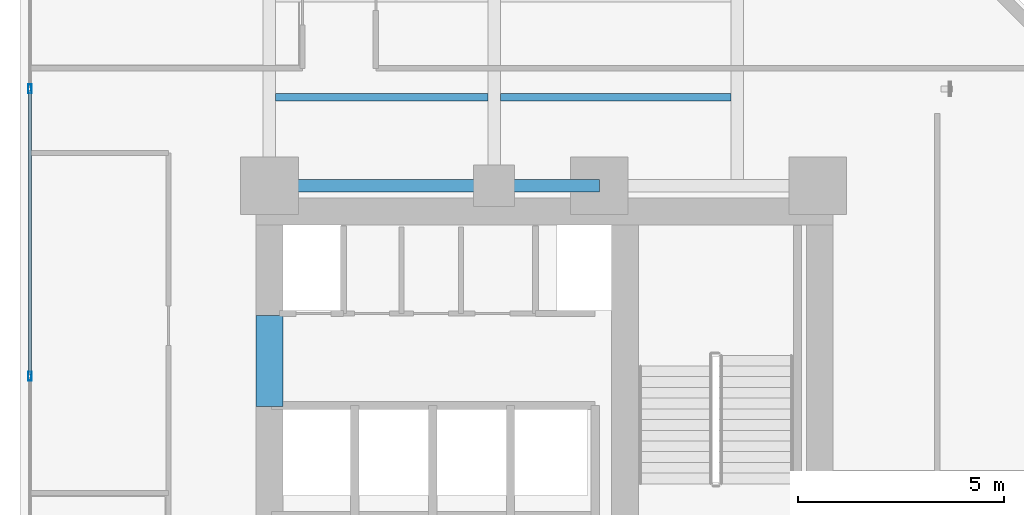
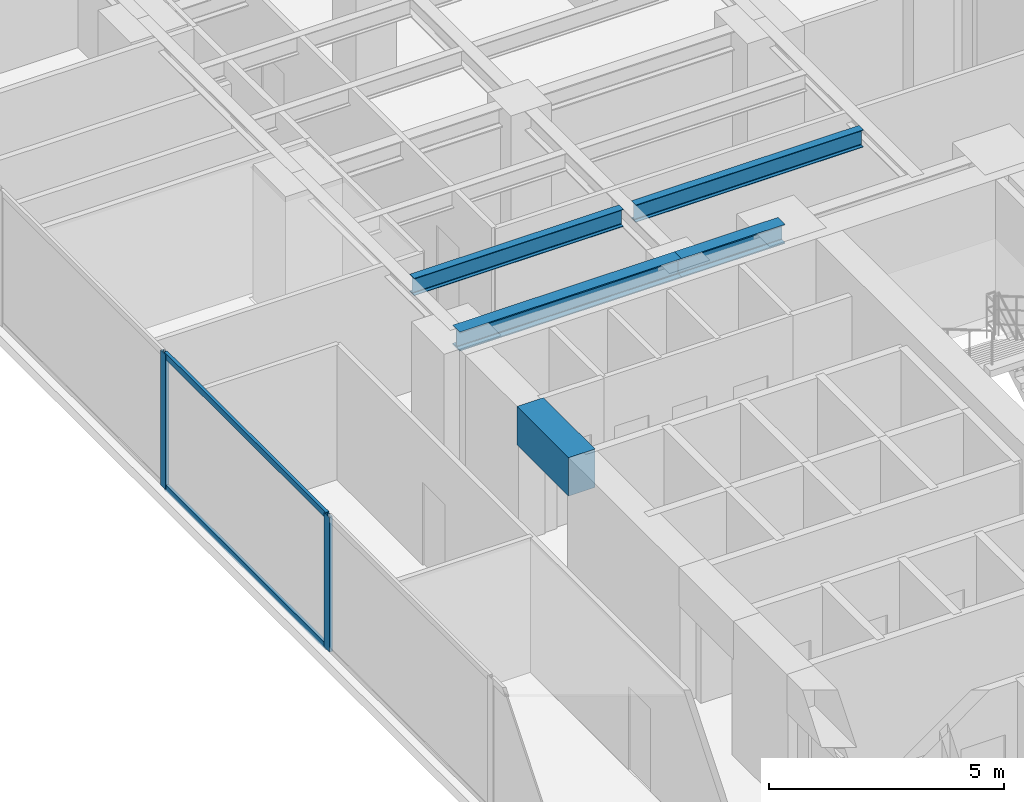
# One storey, part 6 of 25: 5 beams, 4 members, 1 element without a shape of its own.
"""IFC4 building model written with IfcOpenShell, lengths in metres."""

from ifc_helpers import new_model, si_unit, direction, frame, origin, origin_with_axes, origin_2d, place, context, subcontext, project, spatial, rectangle, hollow_rectangle, i_section, extrude, source, transform, mapped, material, layer, layer_set, material_profile, profile_set, type_object, element, aggregate, save


model = new_model("IFC4")

# Units and contexts
model_context = context("Model", 3, precision=1e-05, world=origin(), true_north=direction((0.0, 1.0)))
body_context = subcontext(model_context, "Body", "Model", "MODEL_VIEW")
ifc_project = project(units=[si_unit("LENGTHUNIT", "METRE"), si_unit("AREAUNIT", "SQUARE_METRE"), si_unit("VOLUMEUNIT", "CUBIC_METRE"), si_unit("PLANEANGLEUNIT", "RADIAN"), si_unit("MASSUNIT", "GRAM", prefix="KILO")], contexts=[model_context])

# Site, building, storey
site_placement = place(None, origin())
site = spatial("IfcSite", under=ifc_project, at=site_placement, CompositionType="ELEMENT")
building_placement = place(site_placement, origin())
building = spatial("IfcBuilding", under=site, at=building_placement, Name="Kolvaren Waterfront Exchange", CompositionType="ELEMENT")
storey_placement = place(building_placement, frame((0.0, 0.0, 106.89990234375)))
storey = spatial("IfcBuildingStorey", under=building, at=storey_placement, Name="L27", CompositionType="ELEMENT", Elevation=106.89990234375)

# Beams
ifc_material_1 = material(Name="Steel S355", Category="steel")
ifc_material_profile_1 = material_profile(ifc_material_1, i_section(OverallWidth=0.300048828125, OverallDepth=0.5, WebThickness=0.014404296875, FlangeThickness=0.028076171875, FilletRadius=0.027099609375, at=origin_2d()), Name="HEB500")
ifc_profile_set_1 = profile_set([ifc_material_profile_1], Name="Steel S355")
beam_type_1 = type_object("IfcBeamType", Name="STR-BM-HEB500", PredefinedType="BEAM", material=ifc_profile_set_1)
beam_1_placement = place(storey_placement, frame((7.449951171875, 24.449951171875, 3.25), z_axis=(1.0, 0.0, 0.0), x_axis=(0.0, 1.0, 0.0)))
element("IfcBeam", 1, at=beam_1_placement, inside=storey, type_object=beam_type_1, Name="L27 north-arm girder 1A", PredefinedType="BEAM", context=body_context, shape_type="SweptSolid", body=[
    extrude(i_section(OverallWidth=0.300048828125, OverallDepth=0.5, WebThickness=0.014404296875, FlangeThickness=0.028076171875, FilletRadius=0.027099609375, at=origin_2d()), origin(), (0.0, 0.0, 1.0), 5.449951171875),
])
beam_2_placement = place(storey_placement, frame((12.89990234375, 24.449951171875, 3.25), z_axis=(1.0, 0.0, 0.0), x_axis=(0.0, 1.0, 0.0)))
element("IfcBeam", 2, at=beam_2_placement, inside=storey, type_object=beam_type_1, Name="L27 north-arm girder 1B", PredefinedType="BEAM", context=body_context, shape_type="SweptSolid", body=[
    extrude(i_section(OverallWidth=0.300048828125, OverallDepth=0.5, WebThickness=0.014404296875, FlangeThickness=0.028076171875, FilletRadius=0.027099609375, at=origin_2d()), origin(), (0.0, 0.0, 1.0), 2.550048828125),
])
ifc_material_profile_2 = material_profile(ifc_material_1, i_section(OverallWidth=0.18994140625, OverallDepth=0.449951171875, WebThickness=0.009521484375, FlangeThickness=0.0146484375, FilletRadius=0.02099609375, at=origin_2d()), Name="IPE450")
ifc_profile_set_2 = profile_set([ifc_material_profile_2], Name="Steel S355")
beam_type_2 = type_object("IfcBeamType", Name="STR-BM-IPE450", PredefinedType="JOIST", material=ifc_profile_set_2)
beam_3_placement = place(storey_placement, frame((7.60205078125, 26.60009765625, 3.275146484375), z_axis=(1.0, 0.0, 0.0), x_axis=(0.0, 1.0, 0.0)))
element("IfcBeam", 3, at=beam_3_placement, inside=storey, type_object=beam_type_2, Name="L27 north-arm composite joist 1A", PredefinedType="JOIST", context=body_context, shape_type="SweptSolid", body=[
    extrude(i_section(OverallWidth=0.18994140625, OverallDepth=0.449951171875, WebThickness=0.009521484375, FlangeThickness=0.0146484375, FilletRadius=0.02099609375, at=origin_2d()), origin(), (0.0, 0.0, 1.0), 5.14599609375),
])
beam_4_placement = place(storey_placement, frame((13.052001953125, 26.60009765625, 3.275146484375), z_axis=(1.0, 0.0, 0.0), x_axis=(0.0, 1.0, 0.0)))
element("IfcBeam", 4, at=beam_4_placement, inside=storey, type_object=beam_type_2, Name="L27 north-arm composite joist 1B", PredefinedType="JOIST", context=body_context, shape_type="SweptSolid", body=[
    extrude(i_section(OverallWidth=0.18994140625, OverallDepth=0.449951171875, WebThickness=0.009521484375, FlangeThickness=0.0146484375, FilletRadius=0.02099609375, at=origin_2d()), origin(), (0.0, 0.0, 1.0), 5.595947265625),
])
ifc_material_2 = material(Name="Concrete C60/75", Category="concrete")
ifc_material_profile_3 = material_profile(ifc_material_2, rectangle(XDim=0.64990234375, YDim=1.0, at=origin_2d()), Name="RC-CB-1000x650")
ifc_profile_set_3 = profile_set([ifc_material_profile_3], Name="Concrete C60/75")
beam_type_3 = type_object("IfcBeamType", Name="STR-CB-1000", PredefinedType="SPANDREL", material=ifc_profile_set_3)
beam_5_placement = place(storey_placement, frame((7.449951171875, 19.10009765625, 3.0), z_axis=(0.0, 1.0, 0.0), x_axis=(-1.0, 0.0, 0.0)))
element("IfcBeam", 5, at=beam_5_placement, inside=storey, type_object=beam_type_3, Name="L27 core coupling beam 5", PredefinedType="SPANDREL", context=body_context, shape_type="SweptSolid", body=[
    extrude(rectangle(XDim=0.64990234375, YDim=1.0, at=origin_2d()), origin(), (0.0, 0.0, 1.0), 2.199951171875),
])

# Curtain wall, members
ifc_material_3 = material(Name="Anodised aluminium 6063-T6", Category="aluminium")
ifc_layer = layer(ifc_material_3, 0.219970703125, Name="Anodised aluminium 6063-T6")
ifc_layer_set = layer_set([ifc_layer], Name="Anodised aluminium 6063-T6")
curtain_wall_type = type_object("IfcCurtainWallType", Name="ARC-CW-SYS2", PredefinedType="USERDEFINED", material=ifc_layer_set)
curtain_wall_placement = place(storey_placement, origin())
curtain_wall = element("IfcCurtainWall", 6, at=curtain_wall_placement, inside=storey, type_object=curtain_wall_type, Name="L27 stick curtain wall CW2 (CW-L27-W)", ObjectType="STICK CURTAIN WALL", PredefinedType="USERDEFINED")
ifc_material_profile_4 = material_profile(ifc_material_3, hollow_rectangle(XDim=0.074951171875, YDim=0.159912109375, WallThickness=0.00439453125, at=origin_2d()), Name="ALU-TRN-160x75x4.5")
ifc_profile_set_4 = profile_set([ifc_material_profile_4], Name="Anodised aluminium 6063-T6")
member_type_1 = type_object("IfcMemberType", Name="ARC-CWT-160", PredefinedType="USERDEFINED", material=ifc_profile_set_4)
shared_shape_1 = source(origin_with_axes(), body_context, "Body", "SweptSolid", [
    extrude(hollow_rectangle(XDim=0.074951171875, YDim=0.159912109375, WallThickness=0.00439453125, at=origin_2d()), origin(), (0.0, 0.0, 1.0), 6.88671875),
])
member_1_placement = place(storey_placement, frame((1.639892578125, 19.873291015625, 0.03759765625), z_axis=(0.0, 1.0, 0.0), x_axis=(-1.0, 0.0, 0.0)))
member_1 = element("IfcMember", 7, at=member_1_placement, type_object=member_type_1, Name="CW2 transom 3.1", ObjectType="TRANSOM", PredefinedType="USERDEFINED", context=body_context, shape_type="MappedRepresentation", body=[
    mapped(shared_shape_1, transform((0.0, 0.0, 0.0), x_axis=(1.0, 0.0, 0.0), y_axis=(0.0, 1.0, 0.0), z_axis=(0.0, 0.0, 1.0), scale=1.0)),
])
member_2_placement = place(storey_placement, frame((1.639892578125, 19.873291015625, 3.462646484375), z_axis=(0.0, 1.0, 0.0), x_axis=(-1.0, 0.0, 0.0)))
member_2 = element("IfcMember", 8, at=member_2_placement, type_object=member_type_1, Name="CW2 transom 3.2", ObjectType="TRANSOM", PredefinedType="USERDEFINED", context=body_context, shape_type="MappedRepresentation", body=[
    mapped(shared_shape_1, transform((0.0, 0.0, 0.0), x_axis=(1.0, 0.0, 0.0), y_axis=(0.0, 1.0, 0.0), z_axis=(0.0, 0.0, 1.0), scale=1.0)),
])
ifc_material_profile_5 = material_profile(ifc_material_3, hollow_rectangle(XDim=0.080078125, YDim=0.219970703125, WallThickness=0.0048828125, at=origin_2d()), Name="ALU-MUL-220x80x5")
ifc_profile_set_5 = profile_set([ifc_material_profile_5], Name="Anodised aluminium 6063-T6")
member_type_2 = type_object("IfcMemberType", Name="ARC-CWM-220", PredefinedType="MULLION", material=ifc_profile_set_5)
shared_shape_2 = source(origin_with_axes(), body_context, "Body", "SweptSolid", [
    extrude(hollow_rectangle(XDim=0.080078125, YDim=0.219970703125, WallThickness=0.0048828125, at=origin_2d()), origin(), (0.0, 0.0, 1.0), 3.5),
])
member_3_placement = place(storey_placement, frame((1.639892578125, 19.833251953125, 0.0), z_axis=(0.0, 0.0, 1.0), x_axis=(-1.0, 0.0, 0.0)))
member_3 = element("IfcMember", 9, at=member_3_placement, type_object=member_type_2, Name="CW2 mullion 3", PredefinedType="MULLION", context=body_context, shape_type="MappedRepresentation", body=[
    mapped(shared_shape_2, transform((0.0, 0.0, 0.0), x_axis=(1.0, 0.0, 0.0), y_axis=(0.0, 1.0, 0.0), z_axis=(0.0, 0.0, 1.0), scale=1.0)),
])
member_4_placement = place(storey_placement, frame((1.639892578125, 26.800048828125, 0.0), z_axis=(0.0, 0.0, 1.0), x_axis=(-1.0, 0.0, 0.0)))
member_4 = element("IfcMember", 10, at=member_4_placement, type_object=member_type_2, Name="CW2 mullion 4", PredefinedType="MULLION", context=body_context, shape_type="MappedRepresentation", body=[
    mapped(shared_shape_2, transform((0.0, 0.0, 0.0), x_axis=(1.0, 0.0, 0.0), y_axis=(0.0, 1.0, 0.0), z_axis=(0.0, 0.0, 1.0), scale=1.0)),
])
aggregate(curtain_wall, [member_3, member_4, member_1, member_2])

save(model, "model.ifc")
